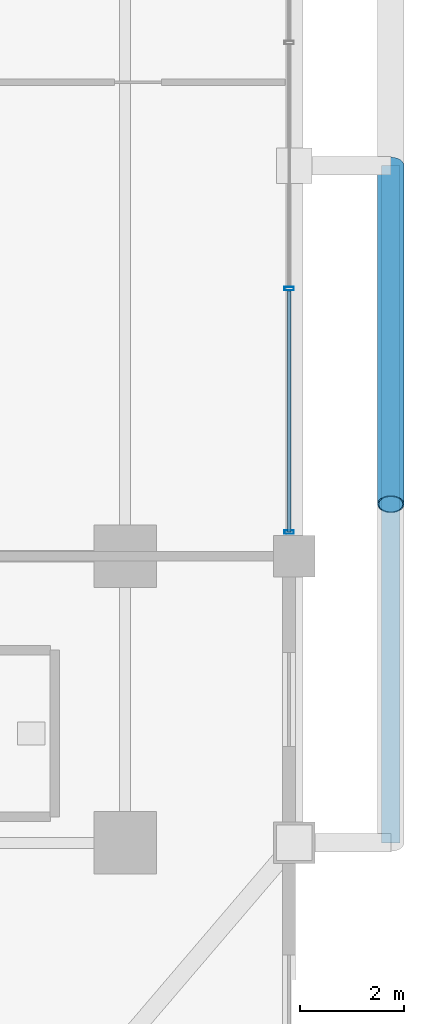
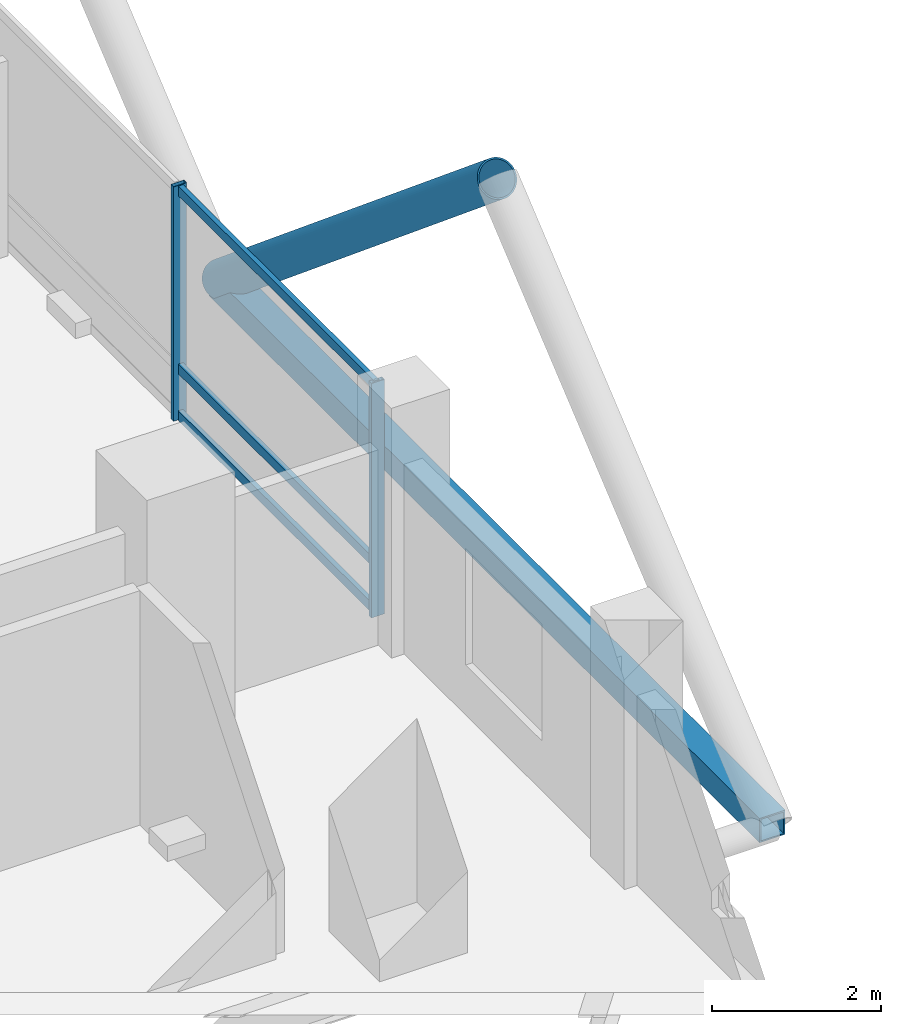
# One storey, part 9 of 24: 7 members, 1 element without a shape of its own.
"""IFC4 building model written with IfcOpenShell, lengths in metres."""

from ifc_helpers import new_model, si_unit, direction, frame, origin, origin_2d, place, context, subcontext, project, spatial, hollow_rectangle, hollow_circle, extrude, material, layer, layer_set, material_profile, profile_set, type_object, element, aggregate, save


model = new_model("IFC4")

# Units and contexts
model_context = context("Model", 3, precision=1e-05, world=origin(), true_north=direction((0.0, 1.0)))
body_context = subcontext(model_context, "Body", "Model", "MODEL_VIEW")
ifc_project = project(units=[si_unit("LENGTHUNIT", "METRE"), si_unit("AREAUNIT", "SQUARE_METRE"), si_unit("VOLUMEUNIT", "CUBIC_METRE"), si_unit("PLANEANGLEUNIT", "RADIAN"), si_unit("MASSUNIT", "GRAM", prefix="KILO")], contexts=[model_context])

# Site, building, storey
site_placement = place(None, origin())
site = spatial("IfcSite", under=ifc_project, at=site_placement, CompositionType="ELEMENT")
building_placement = place(site_placement, origin())
building = spatial("IfcBuilding", under=site, at=building_placement, Name="Barlavira Tower and Art Museum", CompositionType="ELEMENT")
storey_placement = place(building_placement, frame((0.0, 0.0, 109.800048828125)))
storey = spatial("IfcBuildingStorey", under=building, at=storey_placement, Name="L27", CompositionType="ELEMENT", Elevation=109.800048828125)

# Curtain wall, members
ifc_material_1 = material(Name="Low-iron coastal laminated glass", Category="glass")
ifc_layer = layer(ifc_material_1, 0.18994140625, Name="Low-iron coastal laminated glass")
ifc_layer_set = layer_set([ifc_layer], Name="Low-iron coastal laminated glass")
curtain_wall_type = type_object("IfcCurtainWallType", Name="Pale-Metal Unitised Curtain Wall Zone 2", PredefinedType="NOTDEFINED", material=ifc_layer_set)
curtain_wall_placement = place(storey_placement, origin())
curtain_wall = element("IfcCurtainWall", 1, at=curtain_wall_placement, inside=storey, type_object=curtain_wall_type, Name="L27 Curtain Wall CW2-L27-E-B3", PredefinedType="NOTDEFINED")
ifc_material_2 = material(Name="Pale anodised aluminium", Category="aluminium")
ifc_material_profile_1 = material_profile(ifc_material_2, hollow_rectangle(XDim=0.06494140625, YDim=0.179931640625, WallThickness=0.00390625, at=origin_2d()), Name="ALU-MULL 65x180x4")
ifc_profile_set_1 = profile_set([ifc_material_profile_1], Name="Pale anodised aluminium")
member_type_1 = type_object("IfcMemberType", Name="Curtain Wall Pale-Metal Mullion 65x180", PredefinedType="MULLION", material=ifc_profile_set_1)
member_1_placement = place(storey_placement, frame((20.14990234375, -7.034912109375, 0.0), z_axis=(0.0, 0.0, 1.0), x_axis=(0.0, 1.0, 0.0)))
member_1 = element("IfcMember", 2, at=member_1_placement, type_object=member_type_1, Name="CW2-L27-E-B3 Mullion 0", PredefinedType="MULLION", context=body_context, shape_type="SweptSolid", body=[
    extrude(hollow_rectangle(XDim=0.06494140625, YDim=0.179931640625, WallThickness=0.00390625, at=origin_2d()), origin(), (0.0, 0.0, 1.0), 3.3798828125),
])
member_2_placement = place(storey_placement, frame((20.14990234375, -2.360107421875, 0.0), z_axis=(0.0, 0.0, 1.0), x_axis=(0.0, 1.0, 0.0)))
member_2 = element("IfcMember", 3, at=member_2_placement, type_object=member_type_1, Name="CW2-L27-E-B3 Mullion 1", PredefinedType="MULLION", context=body_context, shape_type="SweptSolid", body=[
    extrude(hollow_rectangle(XDim=0.06494140625, YDim=0.179931640625, WallThickness=0.00390625, at=origin_2d()), origin(), (0.0, 0.0, 1.0), 3.3798828125),
])
ifc_material_profile_2 = material_profile(ifc_material_2, hollow_rectangle(XDim=0.06494140625, YDim=0.139892578125, WallThickness=0.00390625, at=origin_2d()), Name="ALU-TRAN 65x140x4")
ifc_profile_set_2 = profile_set([ifc_material_profile_2], Name="Pale anodised aluminium")
member_type_2 = type_object("IfcMemberType", Name="Curtain Wall Pale-Metal Transom 65x140", PredefinedType="USERDEFINED", material=ifc_profile_set_2)
member_3_placement = place(storey_placement, frame((20.14990234375, -7.034912109375, 0.070068359375), z_axis=(0.0, 1.0, 0.0), x_axis=(-1.0, 0.0, 0.0)))
member_3 = element("IfcMember", 4, at=member_3_placement, type_object=member_type_2, Name="CW2-L27-E-B3 Transom 0.1", ObjectType="TRANSOM", PredefinedType="USERDEFINED", context=body_context, shape_type="SweptSolid", body=[
    extrude(hollow_rectangle(XDim=0.06494140625, YDim=0.139892578125, WallThickness=0.00390625, at=origin_2d()), origin(), (0.0, 0.0, 1.0), 4.6298828125),
])
member_4_placement = place(storey_placement, frame((20.14990234375, -7.034912109375, 0.743896484375), z_axis=(0.0, 1.0, 0.0), x_axis=(-1.0, 0.0, 0.0)))
member_4 = element("IfcMember", 5, at=member_4_placement, type_object=member_type_2, Name="CW2-L27-E-B3 Transom 0.2", ObjectType="TRANSOM", PredefinedType="USERDEFINED", context=body_context, shape_type="SweptSolid", body=[
    extrude(hollow_rectangle(XDim=0.06494140625, YDim=0.139892578125, WallThickness=0.00390625, at=origin_2d()), origin(), (0.0, 0.0, 1.0), 4.6298828125),
])
member_5_placement = place(storey_placement, frame((20.14990234375, -7.034912109375, 3.31005859375), z_axis=(0.0, 1.0, 0.0), x_axis=(-1.0, 0.0, 0.0)))
member_5 = element("IfcMember", 6, at=member_5_placement, type_object=member_type_2, Name="CW2-L27-E-B3 Transom 0.3", ObjectType="TRANSOM", PredefinedType="USERDEFINED", context=body_context, shape_type="SweptSolid", body=[
    extrude(hollow_rectangle(XDim=0.06494140625, YDim=0.139892578125, WallThickness=0.00390625, at=origin_2d()), origin(), (0.0, 0.0, 1.0), 4.6298828125),
])
aggregate(curtain_wall, [member_1, member_2, member_3, member_4, member_5])

# Members
ifc_material_3 = material(Name="Steel S355", Category="steel")
ifc_material_profile_3 = material_profile(ifc_material_3, hollow_circle(Radius=0.25390625, WallThickness=0.022216796875, at=origin_2d()), Name="CHS 508.0x22.2")
ifc_profile_set_3 = profile_set([ifc_material_profile_3], Name="Steel S355")
member_type_3 = type_object("IfcMemberType", Name="Pale-Metal Exoskeleton Diagrid Tube CHS 508x22 Steel S355", PredefinedType="BRACE", material=ifc_profile_set_3)
member_6_placement = place(storey_placement, frame((22.10009765625, 0.0, -0.1201171875), z_axis=(0.0, -0.76918185268, 0.639029950399), x_axis=(1.0, 0.0, 0.0)))
element("IfcMember", 7, at=member_6_placement, inside=storey, type_object=member_type_3, Name="L27 Exoskeleton Diagrid Tube E", PredefinedType="BRACE", context=body_context, shape_type="SweptSolid", body=[
    extrude(hollow_circle(Radius=0.25390625, WallThickness=0.022216796875, at=origin_2d()), origin(), (0.0, 0.0, 1.0), 8.450439453125),
])
ifc_material_profile_4 = material_profile(ifc_material_3, hollow_rectangle(XDim=0.35009765625, YDim=0.35009765625, WallThickness=0.02001953125, at=origin_2d()), Name="SHS 350x350x20.0")
ifc_profile_set_4 = profile_set([ifc_material_profile_4], Name="Steel S355")
member_type_4 = type_object("IfcMemberType", Name="Pale-Metal Exoskeleton Ring Strut SHS 350x350x20 Steel S355", PredefinedType="STRUT", material=ifc_profile_set_4)
member_7_placement = place(storey_placement, frame((22.10009765625, -13.0, -0.1201171875), z_axis=(0.0, 1.0, 0.0), x_axis=(-1.0, 0.0, 0.0)))
element("IfcMember", 8, at=member_7_placement, inside=storey, type_object=member_type_4, Name="L27 Exoskeleton Ring Strut E", PredefinedType="STRUT", context=body_context, shape_type="SweptSolid", body=[
    extrude(hollow_rectangle(XDim=0.35009765625, YDim=0.35009765625, WallThickness=0.02001953125, at=origin_2d()), origin(), (0.0, 0.0, 1.0), 13.0),
])

save(model, "model.ifc")
